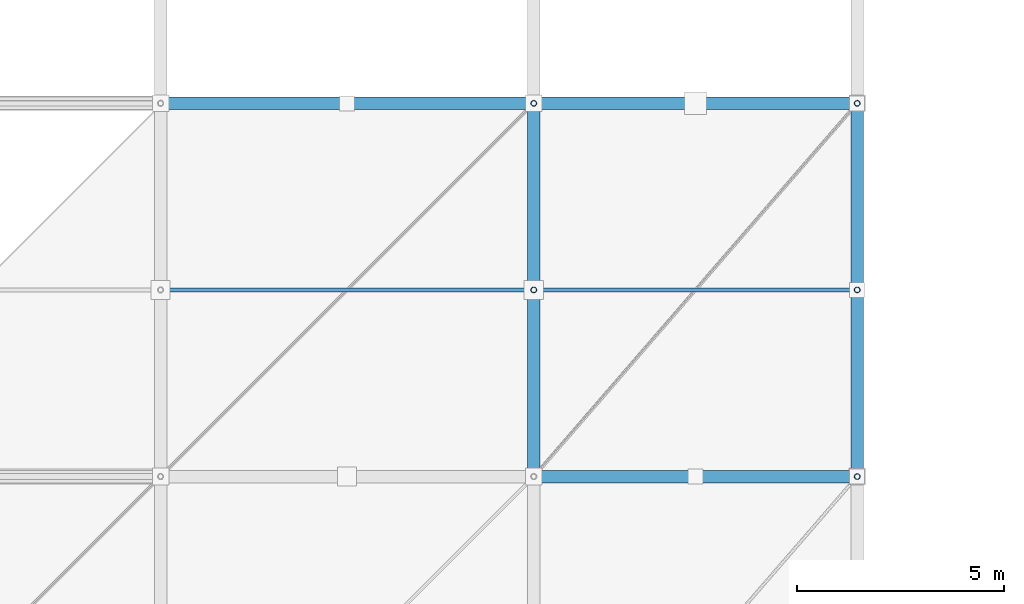
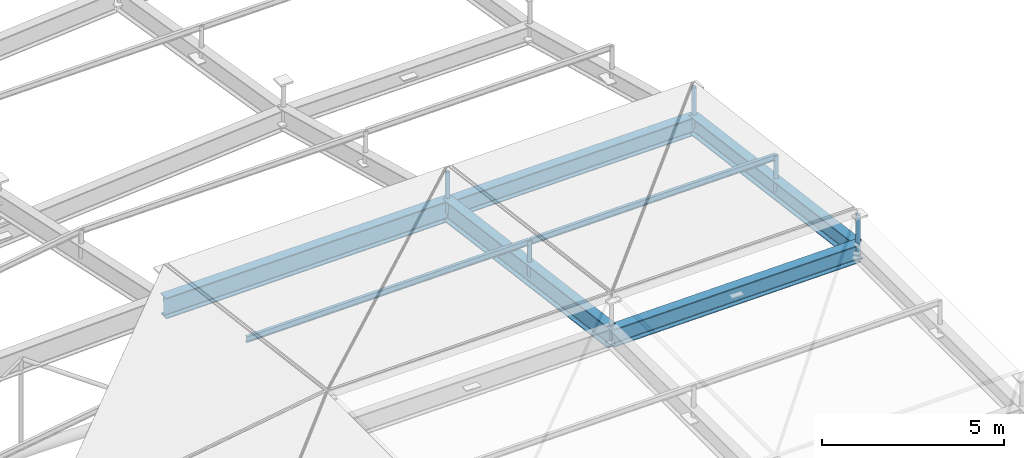
# One storey, part 56 of 80: 7 members, 5 beams.
"""IFC4 building model written with IfcOpenShell, lengths in metres."""

from ifc_helpers import new_model, si_unit, direction, frame, origin, origin_2d, place, context, subcontext, project, spatial, hollow_circle, i_section, extrude, material, material_profile, profile_set, type_object, element, save


model = new_model("IFC4")

# Units and contexts
model_context = context("Model", 3, precision=1e-05, world=origin(), true_north=direction((0.0, 1.0)))
body_context = subcontext(model_context, "Body", "Model", "MODEL_VIEW")
ifc_project = project(units=[si_unit("LENGTHUNIT", "METRE"), si_unit("AREAUNIT", "SQUARE_METRE"), si_unit("VOLUMEUNIT", "CUBIC_METRE"), si_unit("PLANEANGLEUNIT", "RADIAN"), si_unit("MASSUNIT", "GRAM", prefix="KILO")], contexts=[model_context])

# Site, building, storey
site_placement = place(None, origin())
site = spatial("IfcSite", under=ifc_project, at=site_placement, CompositionType="ELEMENT")
building_placement = place(site_placement, origin())
building = spatial("IfcBuilding", under=site, at=building_placement, Name="Barlavento Convention Centre", CompositionType="ELEMENT")
storey_placement = place(building_placement, frame((0.0, 0.0, 29.800048828125)))
storey = spatial("IfcBuildingStorey", under=building, at=storey_placement, Name="RF", CompositionType="ELEMENT", Elevation=29.800048828125)

# Beams
ifc_material_1 = material(Name="Steel S355", Category="steel")
ifc_material_profile_1 = material_profile(ifc_material_1, i_section(OverallWidth=0.300048828125, OverallDepth=0.60009765625, WebThickness=0.015380859375, FlangeThickness=0.030029296875, FilletRadius=0.027099609375, at=origin_2d()), Name="HEB 600")
ifc_profile_set_1 = profile_set([ifc_material_profile_1], Name="Steel S355")
beam_type_1 = type_object("IfcBeamType", Name="STR-BM-CANT-HEB600", PredefinedType="BEAM", material=ifc_profile_set_1)
for number, where, z_axis, x_axis, name in (
    (1, (63.0048828125, 27.0, 0.286865234375), (0.999894739787, 0.0, 0.014508940219), (0.0, 1.0, 0.0), "Congress roof truss space frame chord"),
    (2, (63.0048828125, 36.0, -0.89892578125), (0.99989428468, 0.0, 0.014540270405), (0.0, 1.0, 0.0), "Congress roof truss space frame chord"),
):
    element("IfcBeam", number, at=place(storey_placement, frame(where, z_axis=z_axis, x_axis=x_axis)), inside=storey, type_object=beam_type_1, Name=name, PredefinedType="BEAM", context=body_context, shape_type="SweptSolid", body=[
        extrude(i_section(OverallWidth=0.300048828125, OverallDepth=0.60009765625, WebThickness=0.015380859375, FlangeThickness=0.030029296875, FilletRadius=0.027099609375, at=origin_2d()), origin(), (0.0, 0.0, 1.0), 7.790771484375),
    ])
beam_1_placement = place(storey_placement, frame((70.800048828125, 27.0048828125, 0.39990234375), z_axis=(0.0, 0.991416866697, -0.130738656981), x_axis=(-1.0, 0.0, 0.0)))
element("IfcBeam", 3, at=beam_1_placement, inside=storey, type_object=beam_type_1, Name="Congress roof truss space frame chord", PredefinedType="BEAM", context=body_context, shape_type="SweptSolid", body=[
    extrude(i_section(OverallWidth=0.300048828125, OverallDepth=0.60009765625, WebThickness=0.015380859375, FlangeThickness=0.030029296875, FilletRadius=0.027099609375, at=origin_2d()), origin(), (0.0, 0.0, 1.0), 9.068115234375),
])
ifc_material_2 = material(Name="Steel S460", Category="steel")
ifc_material_profile_2 = material_profile(ifc_material_2, i_section(OverallWidth=0.300048828125, OverallDepth=0.699951171875, WebThickness=0.01708984375, FlangeThickness=0.031982421875, FilletRadius=0.027099609375, at=origin_2d()), Name="HEB 700")
ifc_profile_set_2 = profile_set([ifc_material_profile_2], Name="Steel S460")
beam_type_2 = type_object("IfcBeamType", Name="STR-BM-TRUSS-TOP-HEB700", PredefinedType="BEAM", material=ifc_profile_set_2)
beam_2_placement = place(storey_placement, frame((54.0048828125, 36.0, -1.029541015625), z_axis=(0.999894477056, 0.0, 0.014527035228), x_axis=(0.0, 1.0, 0.0)))
element("IfcBeam", 4, at=beam_2_placement, inside=storey, type_object=beam_type_2, Name="Congress roof truss space frame chord", PredefinedType="BEAM", context=body_context, shape_type="SweptSolid", body=[
    extrude(i_section(OverallWidth=0.300048828125, OverallDepth=0.699951171875, WebThickness=0.01708984375, FlangeThickness=0.031982421875, FilletRadius=0.027099609375, at=origin_2d()), origin(), (0.0, 0.0, 1.0), 8.9912109375),
])
beam_3_placement = place(storey_placement, frame((63.0, 27.0048828125, 0.286865234375), z_axis=(0.0, 0.991413376675, -0.130765119773), x_axis=(-1.0, 0.0, 0.0)))
element("IfcBeam", 5, at=beam_3_placement, inside=storey, type_object=beam_type_2, Name="Congress roof truss space frame chord", PredefinedType="BEAM", context=body_context, shape_type="SweptSolid", body=[
    extrude(i_section(OverallWidth=0.300048828125, OverallDepth=0.699951171875, WebThickness=0.01708984375, FlangeThickness=0.031982421875, FilletRadius=0.027099609375, at=origin_2d()), origin(), (0.0, 0.0, 1.0), 9.068115234375),
])

# Members
ifc_material_profile_3 = material_profile(ifc_material_1, hollow_circle(Radius=0.06982421875, WallThickness=0.008056640625, at=origin_2d()), Name="CHS 139.7x8.0")
ifc_profile_set_3 = profile_set([ifc_material_profile_3], Name="Steel S355")
member_type_1 = type_object("IfcMemberType", Name="STR-MEM-DIAG-CHS139", PredefinedType="BRACE", material=ifc_profile_set_3)
for number, where, z_axis, x_axis, name in (
    (6, (63.0, 36.0, -1.048828125), (0.0, 0.0, 1.0), (1.0, 0.0, 0.0), "Congress space frame vertical node post TD04"),
    (7, (70.800048828125, 27.0, 0.25), (0.0, 0.0, 1.0), (1.0, 0.0, 0.0), "Congress space frame vertical node post TD04"),
):
    element("IfcMember", number, at=place(storey_placement, frame(where, z_axis=z_axis, x_axis=x_axis)), inside=storey, type_object=member_type_1, Name=name, PredefinedType="BRACE", context=body_context, shape_type="SweptSolid", body=[
        extrude(hollow_circle(Radius=0.06982421875, WallThickness=0.008056640625, at=origin_2d()), origin(), (0.0, 0.0, 1.0), 1.369873046875),
    ])
member_1_placement = place(storey_placement, frame((70.800048828125, 36.0, -0.935791015625), z_axis=(0.0, 0.0, 1.0), x_axis=(1.0, 0.0, 0.0)))
element("IfcMember", 8, at=member_1_placement, inside=storey, type_object=member_type_1, Name="Congress space frame vertical node post TD04", PredefinedType="BRACE", context=body_context, shape_type="SweptSolid", body=[
    extrude(hollow_circle(Radius=0.06982421875, WallThickness=0.008056640625, at=origin_2d()), origin(), (0.0, 0.0, 1.0), 1.3701171875),
])
member_2_placement = place(storey_placement, frame((63.0, 31.5, -0.426025390625), z_axis=(0.0, 0.0, 1.0), x_axis=(1.0, 0.0, 0.0)))
element("IfcMember", 9, at=member_2_placement, inside=storey, type_object=member_type_1, Name="Congress space frame vertical node post TD04", PredefinedType="BRACE", context=body_context, shape_type="SweptSolid", body=[
    extrude(hollow_circle(Radius=0.06982421875, WallThickness=0.008056640625, at=origin_2d()), origin(), (0.0, 0.0, 1.0), 1.184814453125),
])
member_3_placement = place(storey_placement, frame((70.800048828125, 31.5, -0.31298828125), z_axis=(0.0, 0.0, 1.0), x_axis=(1.0, 0.0, 0.0)))
element("IfcMember", 10, at=member_3_placement, inside=storey, type_object=member_type_1, Name="Congress space frame vertical node post TD04", PredefinedType="BRACE", context=body_context, shape_type="SweptSolid", body=[
    extrude(hollow_circle(Radius=0.06982421875, WallThickness=0.008056640625, at=origin_2d()), origin(), (0.0, 0.0, 1.0), 1.185546875),
])
ifc_material_profile_4 = material_profile(ifc_material_1, i_section(OverallWidth=0.10009765625, OverallDepth=0.199951171875, WebThickness=0.005615234375, FlangeThickness=0.008544921875, FilletRadius=0.011962890625, at=origin_2d()), Name="IPE 200")
ifc_profile_set_4 = profile_set([ifc_material_profile_4], Name="Steel S355")
member_type_2 = type_object("IfcMemberType", Name="STR-MEM-PUR-IPE200", PredefinedType="PURLIN", material=ifc_profile_set_4)
member_4_placement = place(storey_placement, frame((54.02001953125, 31.5, 0.589111328125), z_axis=(0.999896524315, 0.0, 0.014385432284), x_axis=(0.0, 1.0, 0.0)))
element("IfcMember", 11, at=member_4_placement, inside=storey, type_object=member_type_2, Name="Congress roof intermediate purlin PR01", PredefinedType="PURLIN", context=body_context, shape_type="SweptSolid", body=[
    extrude(i_section(OverallWidth=0.10009765625, OverallDepth=0.199951171875, WebThickness=0.005615234375, FlangeThickness=0.008544921875, FilletRadius=0.011962890625, at=origin_2d()), origin(), (0.0, 0.0, 1.0), 8.9609375),
])
member_5_placement = place(storey_placement, frame((63.02001953125, 31.5, 0.71875), z_axis=(0.999892544809, 0.0, 0.014659428217), x_axis=(0.0, 1.0, 0.0)))
element("IfcMember", 12, at=member_5_placement, inside=storey, type_object=member_type_2, Name="Congress roof intermediate purlin PR01", PredefinedType="PURLIN", context=body_context, shape_type="SweptSolid", body=[
    extrude(i_section(OverallWidth=0.10009765625, OverallDepth=0.199951171875, WebThickness=0.005615234375, FlangeThickness=0.008544921875, FilletRadius=0.011962890625, at=origin_2d()), origin(), (0.0, 0.0, 1.0), 7.7607421875),
])

save(model, "model.ifc")
